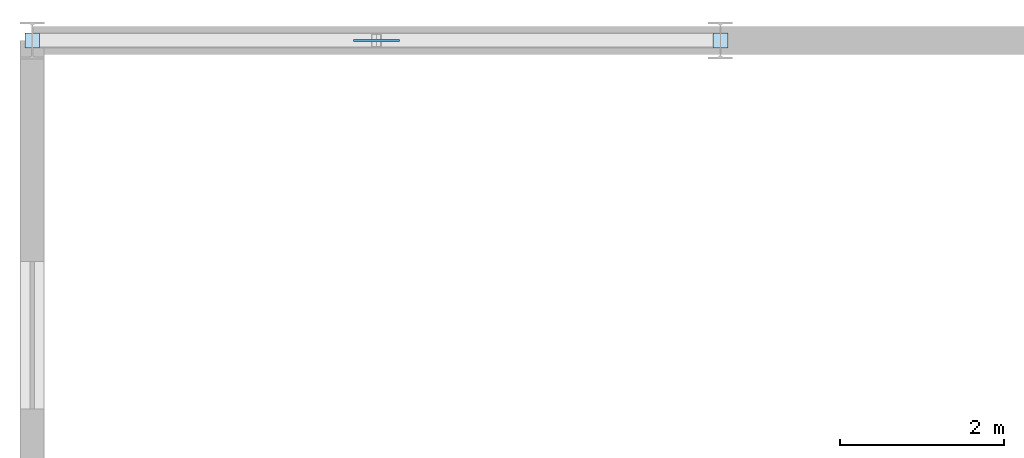
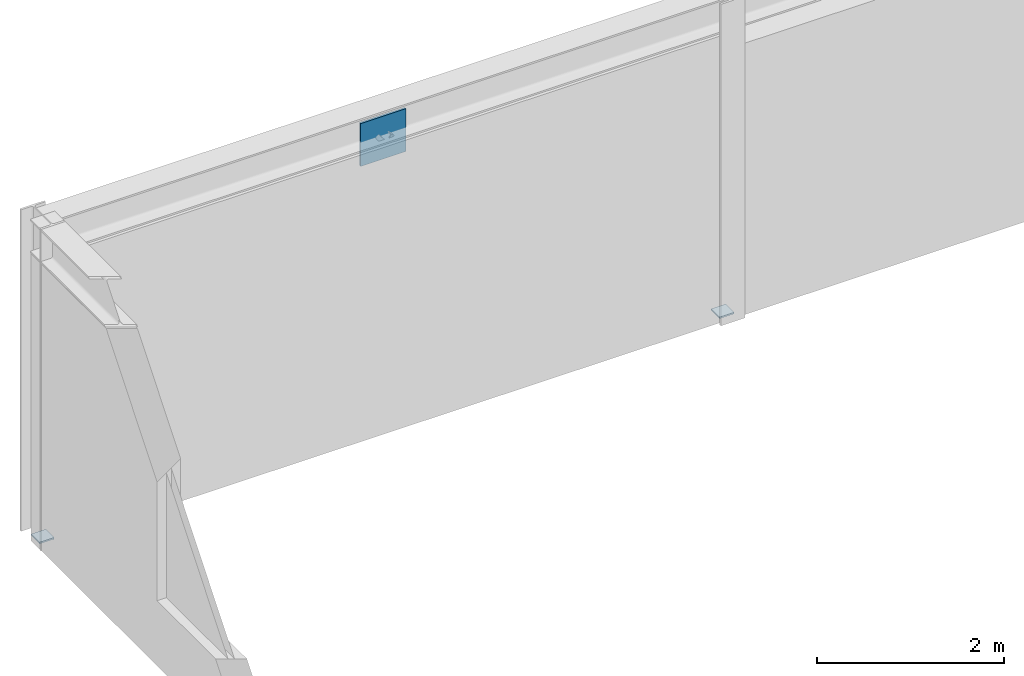
# One storey, part 58 of 109: 3 plates.
"""IFC4 building model written with IfcOpenShell, lengths in metres."""

from ifc_helpers import new_model, si_unit, derived_unit, direction, frame, origin, origin_2d, place, context, subcontext, project, spatial, rectangle, extrude, material, layer, layer_set, type_object, element, save


model = new_model("IFC4")

# Units and contexts
model_context = context("Model", 3, precision=1e-05, world=origin(), true_north=direction((0.0, 1.0)))
body_context = subcontext(model_context, "Body", "Model", "MODEL_VIEW")
ifc_project = project(units=[si_unit("LENGTHUNIT", "METRE"), si_unit("AREAUNIT", "SQUARE_METRE"), si_unit("VOLUMEUNIT", "CUBIC_METRE"), si_unit("PLANEANGLEUNIT", "RADIAN"), si_unit("MASSUNIT", "GRAM", prefix="KILO"), derived_unit("THERMALTRANSMITTANCEUNIT", [(si_unit("MASSUNIT", "GRAM", prefix="KILO"), 1), (si_unit("TIMEUNIT", "SECOND"), -3), (si_unit("THERMODYNAMICTEMPERATUREUNIT", "KELVIN"), -1)])], contexts=[model_context])

# Site, building, storey
site_placement = place(None, origin())
site = spatial("IfcSite", under=ifc_project, at=site_placement, CompositionType="ELEMENT")
building_placement = place(site_placement, origin())
building = spatial("IfcBuilding", under=site, at=building_placement, Name="Kharveza Railside Sports Centre", CompositionType="ELEMENT")
storey_placement = place(building_placement, frame((0.0, 0.0, 4.5)))
storey = spatial("IfcBuildingStorey", under=building, at=storey_placement, Name="L01", CompositionType="ELEMENT", Elevation=4.5)

# Plates
ifc_material = material(Name="Steel S355J2", Category="steel")
ifc_layer_1 = layer(ifc_material, 0.02001953125, Name="Steel S355J2")
ifc_layer_set_1 = layer_set([ifc_layer_1], Name="Steel S355J2")
plate_type_1 = type_object("IfcPlateType", Name="PL-EC10", PredefinedType="USERDEFINED", material=ifc_layer_set_1)
for number, where, z_axis, x_axis, name in (
    (1, (0.0, 108.0, -0.010009765625), (0.0, 0.0, 1.0), (1.0, 0.0, 0.0), "PLT-EC-162"),
    (2, (8.39990234375, 108.0, -0.010009765625), (0.0, 0.0, 1.0), (1.0, 0.0, 0.0), "PLT-EC-163"),
):
    element("IfcPlate", number, at=place(storey_placement, frame(where, z_axis=z_axis, x_axis=x_axis)), inside=storey, type_object=plate_type_1, Name=name, ObjectType="END_CAP_PLATE", PredefinedType="USERDEFINED", context=body_context, shape_type="SweptSolid", body=[
        extrude(rectangle(XDim=0.179931640625, YDim=0.179931640625, at=origin_2d()), origin(), (0.0, 0.0, 1.0), 0.02001953125),
    ])
ifc_layer_2 = layer(ifc_material, 0.028076171875, Name="Steel S355J2")
ifc_layer_set_2 = layer_set([ifc_layer_2], Name="Steel S355J2")
plate_type_2 = type_object("IfcPlateType", Name="PL-GS05", PredefinedType="USERDEFINED", material=ifc_layer_set_2)
plate_placement = place(storey_placement, frame((4.199951171875, 108.0, 3.469970703125), z_axis=(0.0, 0.0, 1.0), x_axis=(1.0, 0.0, 0.0)))
element("IfcPlate", 3, at=plate_placement, inside=storey, type_object=plate_type_2, Name="PLT-GS-CHEV-011", ObjectType="GUSSET_PLATE", PredefinedType="USERDEFINED", context=body_context, shape_type="SweptSolid", body=[
    extrude(rectangle(XDim=0.56005859375, YDim=0.028076171875, at=origin_2d()), origin(), (0.0, 0.0, 1.0), 0.56005859375),
])

save(model, "model.ifc")
